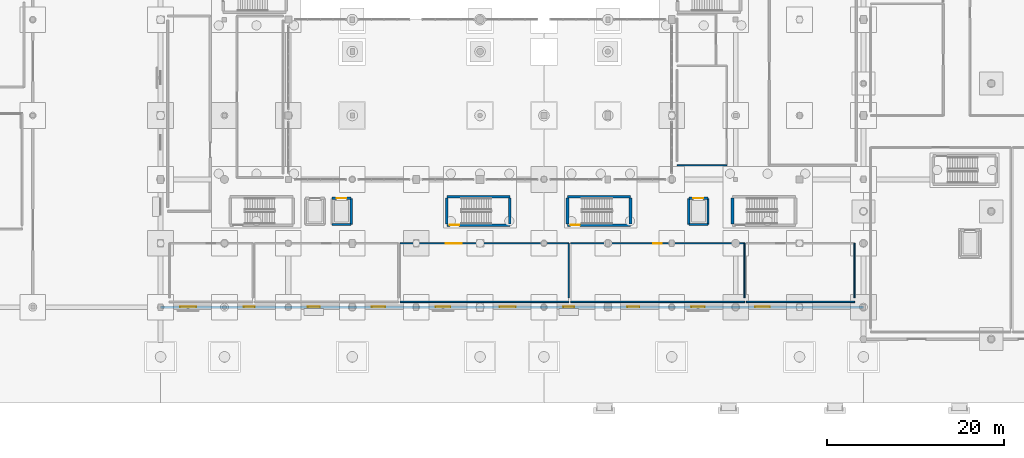
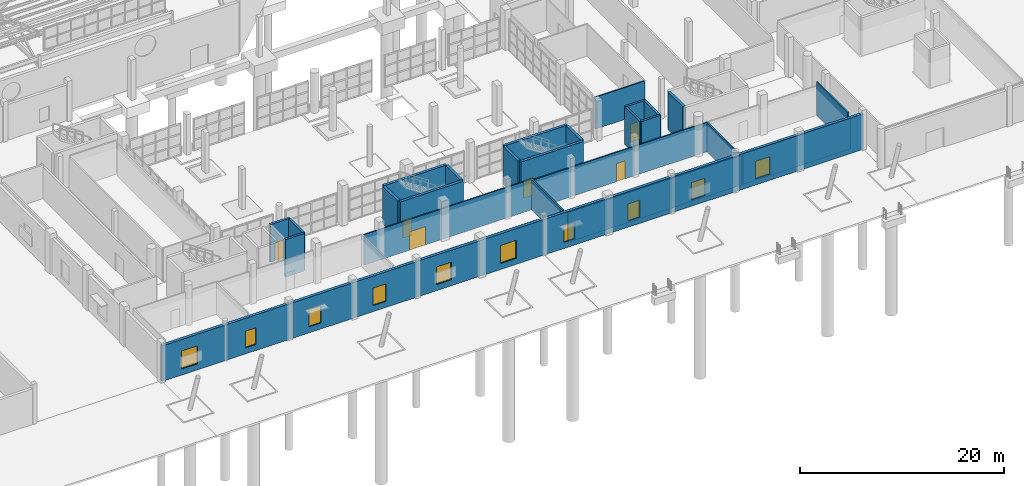
# One storey, part 256 of 285: 26 walls, 10 windows, 6 doors, 16 openings.
"""IFC4 building model written with IfcOpenShell, lengths in metres."""

from ifc_helpers import new_model, si_unit, direction, frame, frame_2d, origin, place, context, subcontext, project, spatial, rectangle, extrude, material, layer, layer_set, type_object, element, fill, save


model = new_model("IFC4")

# Units and contexts
model_context = context("Model", 3, precision=1e-05, world=origin(), true_north=direction((0.0, 1.0)))
body_context = subcontext(model_context, "Body", "Model", "MODEL_VIEW")
ifc_project = project(units=[si_unit("LENGTHUNIT", "METRE"), si_unit("AREAUNIT", "SQUARE_METRE"), si_unit("VOLUMEUNIT", "CUBIC_METRE"), si_unit("PLANEANGLEUNIT", "RADIAN"), si_unit("MASSUNIT", "GRAM", prefix="KILO")], contexts=[model_context])

# Site, building, storey
site_placement = place(None, origin())
site = spatial("IfcSite", under=ifc_project, at=site_placement, CompositionType="ELEMENT")
building_placement = place(site_placement, origin())
building = spatial("IfcBuilding", under=site, at=building_placement, Name="Solanera Park Tramway Depot", CompositionType="ELEMENT")
storey_placement = place(building_placement, origin())
storey = spatial("IfcBuildingStorey", under=building, at=storey_placement, Name="L00", CompositionType="ELEMENT", Elevation=0.0)

# Wall, opening, door
ifc_material_1 = material(Name="Concrete N32 (C32/40)", Category="concrete")
ifc_layer_1 = layer(ifc_material_1, 0.125)
ifc_layer_set_1 = layer_set([ifc_layer_1], Name="Concrete N32 (C32/40)")
wall_type_1 = type_object("IfcWallType", Name="Acoustic Partition 125", PredefinedType="PARTITIONING", material=ifc_layer_set_1)
wall_1_placement = place(storey_placement, frame((135.0, 18.0, 0.0), z_axis=(0.0, 0.0, 1.0), x_axis=(1.0, 0.0, 0.0)))
wall_1 = element("IfcWall", 1, at=wall_1_placement, inside=storey, type_object=wall_type_1, Name="Driver Roll-Call and Briefing Hall Corridor Wall", PredefinedType="PARTITIONING", context=body_context, shape_type="SweptSolid", body=[
    extrude(rectangle(XDim=19.0, YDim=0.125, at=frame_2d((9.5, 0.0))), origin(), (0.0, 0.0, 1.0), 3.656982421875),
])
opening_1_placement = place(wall_1_placement, frame((5.159912109375, 0.0, 0.0)))
opening_1 = element("IfcOpeningElement", 2, at=opening_1_placement, cuts=wall_1, Name="Opening ID-A2D", PredefinedType="OPENING", context=body_context, shape_type="SweptSolid", body=[
    extrude(rectangle(XDim=1.800048828125, YDim=2.199951171875, at=frame_2d((0.89990234375, 1.10009765625))), frame((0.0, 0.072509765625, 0.0), z_axis=(0.0, -1.0, 0.0), x_axis=(1.0, 0.0, 0.0)), (0.0, 0.0, 1.0), 0.14501953125),
])
ifc_material_2 = material(Name="Fire-rated steel or solid-core hardwood door leaf", Category="steel")
door_type_1 = type_object("IfcDoorType", Name="Assembly Double Door 1800x2200", OperationType="DOUBLE_SWING_RIGHT", PredefinedType="DOOR", material=ifc_material_2)
door_1_placement = place(opening_1_placement, origin())
door_1 = element("IfcDoor", 3, at=door_1_placement, inside=storey, type_object=door_type_1, Name="Driver Roll-Call and Briefing Hall Door", OperationType="DOUBLE_SWING_RIGHT", OverallHeight=2.199951171875, OverallWidth=1.800048828125, PredefinedType="DOOR", context=body_context, shape_type="SweptSolid", body=[
    extrude(rectangle(XDim=1.800048828125, YDim=2.199951171875, at=frame_2d((0.89990234375, 1.10009765625))), frame((0.0, 0.02490234375, 0.0), z_axis=(0.0, -1.0, 0.0), x_axis=(1.0, 0.0, 0.0)), (0.0, 0.0, 1.0), 0.050048828125),
])
fill(opening_1, door_1)

wall_2_placement = place(storey_placement, frame((154.199951171875, 18.0, 0.0), z_axis=(0.0, 0.0, 1.0), x_axis=(1.0, 0.0, 0.0)))
wall_2 = element("IfcWall", 4, at=wall_2_placement, inside=storey, type_object=wall_type_1, Name="Operations Crew Locker and Uniform Room Corridor Wall", PredefinedType="PARTITIONING", context=body_context, shape_type="SweptSolid", body=[
    extrude(rectangle(XDim=19.60009765625, YDim=0.125, at=frame_2d((9.800048828125, 0.0))), origin(), (0.0, 0.0, 1.0), 3.507080078125),
])
opening_2_placement = place(wall_2_placement, frame((9.320068359375, 0.0, 0.0)))
opening_2 = element("IfcOpeningElement", 5, at=opening_2_placement, cuts=wall_2, Name="Opening ID-O1L", PredefinedType="OPENING", context=body_context, shape_type="SweptSolid", body=[
    extrude(rectangle(XDim=0.9599609375, YDim=2.14990234375, at=frame_2d((0.47998046875, 1.074951171875))), frame((0.0, 0.072509765625, 0.0), z_axis=(0.0, -1.0, 0.0), x_axis=(1.0, 0.0, 0.0)), (0.0, 0.0, 1.0), 0.14501953125),
])
ifc_material_3 = material(Name="Fire-rated steel or solid-core hardwood door leaf", Category="steel")
door_type_2 = type_object("IfcDoorType", Name="Office Single Door L 960x2150", OperationType="SINGLE_SWING_LEFT", PredefinedType="DOOR", material=ifc_material_3)
door_2_placement = place(opening_2_placement, origin())
door_2 = element("IfcDoor", 6, at=door_2_placement, inside=storey, type_object=door_type_2, Name="Operations Crew Locker and Uniform Room Door", OperationType="SINGLE_SWING_LEFT", OverallHeight=2.14990234375, OverallWidth=0.9599609375, PredefinedType="DOOR", context=body_context, shape_type="SweptSolid", body=[
    extrude(rectangle(XDim=0.9599609375, YDim=2.14990234375, at=frame_2d((0.47998046875, 1.074951171875))), frame((0.0, 0.02490234375, 0.0), z_axis=(0.0, -1.0, 0.0), x_axis=(1.0, 0.0, 0.0)), (0.0, 0.0, 1.0), 0.050048828125),
])
fill(opening_2, door_2)

# Walls
ifc_material_4 = material(Name="Concrete N32 (C32/40)", Category="concrete")
ifc_layer_2 = layer(ifc_material_4, 0.14990234375)
ifc_layer_set_2 = layer_set([ifc_layer_2], Name="Concrete N32 (C32/40)")
wall_type_2 = type_object("IfcWallType", Name="Acoustic Partition 150", PredefinedType="PARTITIONING", material=ifc_layer_set_2)
wall_3_placement = place(storey_placement, frame((154.0, 11.39990234375, 0.0), z_axis=(0.0, 0.0, 1.0), x_axis=(-1.0, 0.0, 0.0)))
element("IfcWall", 7, at=wall_3_placement, inside=storey, type_object=wall_type_2, Name="Driver Roll-Call and Briefing Hall Dividing Wall", PredefinedType="PARTITIONING", context=body_context, shape_type="SweptSolid", body=[
    extrude(rectangle(XDim=19.0, YDim=0.14990234375, at=frame_2d((9.5, 0.0))), origin(), (0.0, 0.0, 1.0), 3.85693359375),
])
wall_4_placement = place(storey_placement, frame((154.0, 11.85009765625, 0.0), z_axis=(0.0, 0.0, 1.0), x_axis=(0.0, 1.0, 0.0)))
element("IfcWall", 8, at=wall_4_placement, inside=storey, type_object=wall_type_2, Name="Driver Roll-Call and Briefing Hall Dividing Wall", PredefinedType="PARTITIONING", context=body_context, shape_type="SweptSolid", body=[
    extrude(rectangle(XDim=6.14990234375, YDim=0.14990234375, at=frame_2d((3.074951171875, 0.0))), origin(), (0.0, 0.0, 1.0), 3.656982421875),
])
wall_5_placement = place(storey_placement, frame((173.800048828125, 11.39990234375, 0.0), z_axis=(0.0, 0.0, 1.0), x_axis=(-1.0, 0.0, 0.0)))
element("IfcWall", 9, at=wall_5_placement, inside=storey, type_object=wall_type_2, Name="Operations Crew Locker and Uniform Room Dividing Wall", PredefinedType="PARTITIONING", context=body_context, shape_type="SweptSolid", body=[
    extrude(rectangle(XDim=19.60009765625, YDim=0.14990234375, at=frame_2d((9.800048828125, 0.0))), origin(), (0.0, 0.0, 1.0), 3.556884765625),
])
wall_6_placement = place(storey_placement, frame((173.800048828125, 11.85009765625, 0.0), z_axis=(0.0, 0.0, 1.0), x_axis=(0.0, 1.0, 0.0)))
element("IfcWall", 10, at=wall_6_placement, inside=storey, type_object=wall_type_2, Name="Operations Crew Locker and Uniform Room Dividing Wall", PredefinedType="PARTITIONING", context=body_context, shape_type="SweptSolid", body=[
    extrude(rectangle(XDim=6.14990234375, YDim=0.14990234375, at=frame_2d((3.074951171875, 0.0))), origin(), (0.0, 0.0, 1.0), 3.507080078125),
])
wall_7_placement = place(storey_placement, frame((186.199951171875, 11.39990234375, 0.0), z_axis=(0.0, 0.0, 1.0), x_axis=(-1.0, 0.0, 0.0)))
element("IfcWall", 11, at=wall_7_placement, inside=storey, type_object=wall_type_2, Name="Occupational Health and First Aid Suite Dividing Wall", PredefinedType="PARTITIONING", context=body_context, shape_type="SweptSolid", body=[
    extrude(rectangle(XDim=12.199951171875, YDim=0.14990234375, at=frame_2d((6.10009765625, 0.0))), origin(), (0.0, 0.0, 1.0), 3.656982421875),
])
wall_8_placement = place(storey_placement, frame((186.199951171875, 11.85009765625, 0.0), z_axis=(0.0, 0.0, 1.0), x_axis=(0.0, 1.0, 0.0)))
element("IfcWall", 12, at=wall_8_placement, inside=storey, type_object=wall_type_2, Name="Occupational Health and First Aid Suite Dividing Wall", PredefinedType="PARTITIONING", context=body_context, shape_type="SweptSolid", body=[
    extrude(rectangle(XDim=6.14990234375, YDim=0.14990234375, at=frame_2d((3.074951171875, 0.0))), origin(), (0.0, 0.0, 1.0), 4.0),
])

# Wall, opening, door
ifc_material_5 = material(Name="Concrete N40 (C40/50)", Category="concrete")
ifc_layer_3 = layer(ifc_material_5, 0.300048828125)
ifc_layer_set_3 = layer_set([ifc_layer_3], Name="Concrete N40 (C40/50)")
wall_type_3 = type_object("IfcWallType", Name="Core Shear Wall 300", PredefinedType="SHEAR", material=ifc_layer_set_3)
wall_9_placement = place(storey_placement, frame((140.25, 20.050048828125, 0.0), z_axis=(0.0, 0.0, 1.0), x_axis=(1.0, 0.0, 0.0)))
wall_9 = element("IfcWall", 13, at=wall_9_placement, inside=storey, type_object=wall_type_3, Name="ST-02 L00 Shear Core Wall S", PredefinedType="SHEAR", context=body_context, shape_type="SweptSolid", body=[
    extrude(rectangle(XDim=7.10009765625, YDim=0.300048828125, at=frame_2d((3.550048828125, 0.0))), origin(), (0.0, 0.0, 1.0), 4.52490234375),
])
opening_3_placement = place(wall_9_placement, frame((0.35009765625, 0.0, 0.0)))
opening_3 = element("IfcOpeningElement", 14, at=opening_3_placement, cuts=wall_9, Name="Opening FD-S1L", PredefinedType="OPENING", context=body_context, shape_type="SweptSolid", body=[
    extrude(rectangle(XDim=1.050048828125, YDim=2.14990234375, at=frame_2d((0.52490234375, 1.074951171875))), frame((0.0, 0.16015625, 0.0), z_axis=(0.0, -1.0, 0.0), x_axis=(1.0, 0.0, 0.0)), (0.0, 0.0, 1.0), 0.320068359375),
])
ifc_material_6 = material(Name="Fire-rated steel or solid-core hardwood door leaf", Category="steel")
door_type_3 = type_object("IfcDoorType", Name="Stair Fire Door L 1050x2150", OperationType="SINGLE_SWING_LEFT", PredefinedType="DOOR", material=ifc_material_6)
door_3_placement = place(opening_3_placement, frame((1.050048828125, 0.0, 0.0), z_axis=(0.0, 0.0, 1.0), x_axis=(-1.0, 0.0, 0.0)))
door_3 = element("IfcDoor", 15, at=door_3_placement, inside=storey, type_object=door_type_3, Name="ST-02 L00 Stair Fire Door", OperationType="SINGLE_SWING_LEFT", OverallHeight=2.14990234375, OverallWidth=1.050048828125, PredefinedType="DOOR", context=body_context, shape_type="SweptSolid", body=[
    extrude(rectangle(XDim=1.050048828125, YDim=2.14990234375, at=frame_2d((0.52490234375, 1.074951171875))), frame((0.0, 0.02490234375, 0.0), z_axis=(0.0, -1.0, 0.0), x_axis=(1.0, 0.0, 0.0)), (0.0, 0.0, 1.0), 0.050048828125),
])
fill(opening_3, door_3)

# Walls
wall_10_placement = place(storey_placement, frame((147.35009765625, 23.25, 0.0), z_axis=(0.0, 0.0, 1.0), x_axis=(-1.0, 0.0, 0.0)))
element("IfcWall", 16, at=wall_10_placement, inside=storey, type_object=wall_type_3, Name="ST-02 L00 Shear Core Wall N", PredefinedType="SHEAR", context=body_context, shape_type="SweptSolid", body=[
    extrude(rectangle(XDim=7.10009765625, YDim=0.300048828125, at=frame_2d((3.550048828125, 0.0))), origin(), (0.0, 0.0, 1.0), 4.52490234375),
])
for number, where, z_axis, x_axis, name in (
    (17, (147.35009765625, 20.199951171875, 0.0), (0.0, 0.0, 1.0), (0.0, 1.0, 0.0), "ST-02 L00 Shear Core Wall E"),
    (18, (140.25, 23.10009765625, 0.0), (0.0, 0.0, 1.0), (0.0, -1.0, 0.0), "ST-02 L00 Shear Core Wall W"),
):
    element("IfcWall", number, at=place(storey_placement, frame(where, z_axis=z_axis, x_axis=x_axis)), inside=storey, type_object=wall_type_3, Name=name, PredefinedType="SHEAR", context=body_context, shape_type="SweptSolid", body=[
        extrude(rectangle(XDim=2.900146484375, YDim=0.300048828125, at=frame_2d((1.4501953125, 0.0))), origin(), (0.0, 0.0, 1.0), 4.52490234375),
    ])

# Wall, opening, door
wall_11_placement = place(storey_placement, frame((153.85009765625, 20.050048828125, 0.0), z_axis=(0.0, 0.0, 1.0), x_axis=(1.0, 0.0, 0.0)))
wall_11 = element("IfcWall", 19, at=wall_11_placement, inside=storey, type_object=wall_type_3, Name="ST-03 L00 Shear Core Wall S", PredefinedType="SHEAR", context=body_context, shape_type="SweptSolid", body=[
    extrude(rectangle(XDim=7.099853515625, YDim=0.300048828125, at=frame_2d((3.5498046875, 0.0))), origin(), (0.0, 0.0, 1.0), 4.52490234375),
])
opening_4_placement = place(wall_11_placement, frame((0.35009765625, 0.0, 0.0)))
opening_4 = element("IfcOpeningElement", 20, at=opening_4_placement, cuts=wall_11, Name="Opening FD-S1L", PredefinedType="OPENING", context=body_context, shape_type="SweptSolid", body=[
    extrude(rectangle(XDim=1.050048828125, YDim=2.14990234375, at=frame_2d((0.52490234375, 1.074951171875))), frame((0.0, 0.16015625, 0.0), z_axis=(0.0, -1.0, 0.0), x_axis=(1.0, 0.0, 0.0)), (0.0, 0.0, 1.0), 0.320068359375),
])
door_4_placement = place(opening_4_placement, frame((1.050048828125, 0.0, 0.0), z_axis=(0.0, 0.0, 1.0), x_axis=(-1.0, 0.0, 0.0)))
door_4 = element("IfcDoor", 21, at=door_4_placement, inside=storey, type_object=door_type_3, Name="ST-03 L00 Stair Fire Door", OperationType="SINGLE_SWING_LEFT", OverallHeight=2.14990234375, OverallWidth=1.050048828125, PredefinedType="DOOR", context=body_context, shape_type="SweptSolid", body=[
    extrude(rectangle(XDim=1.050048828125, YDim=2.14990234375, at=frame_2d((0.52490234375, 1.074951171875))), frame((0.0, 0.02490234375, 0.0), z_axis=(0.0, -1.0, 0.0), x_axis=(1.0, 0.0, 0.0)), (0.0, 0.0, 1.0), 0.050048828125),
])
fill(opening_4, door_4)

# Walls
wall_12_placement = place(storey_placement, frame((160.949951171875, 23.25, 0.0), z_axis=(0.0, 0.0, 1.0), x_axis=(-1.0, 0.0, 0.0)))
element("IfcWall", 22, at=wall_12_placement, inside=storey, type_object=wall_type_3, Name="ST-03 L00 Shear Core Wall N", PredefinedType="SHEAR", context=body_context, shape_type="SweptSolid", body=[
    extrude(rectangle(XDim=7.099853515625, YDim=0.300048828125, at=frame_2d((3.5498046875, 0.0))), origin(), (0.0, 0.0, 1.0), 4.52490234375),
])
for number, where, z_axis, x_axis, name in (
    (23, (160.949951171875, 20.199951171875, 0.0), (0.0, 0.0, 1.0), (0.0, 1.0, 0.0), "ST-03 L00 Shear Core Wall E"),
    (24, (153.85009765625, 23.10009765625, 0.0), (0.0, 0.0, 1.0), (0.0, -1.0, 0.0), "ST-03 L00 Shear Core Wall W"),
    (25, (172.449951171875, 23.10009765625, 0.0), (0.0, 0.0, 1.0), (0.0, -1.0, 0.0), "ST-04 L00 Shear Core Wall W"),
):
    element("IfcWall", number, at=place(storey_placement, frame(where, z_axis=z_axis, x_axis=x_axis)), inside=storey, type_object=wall_type_3, Name=name, PredefinedType="SHEAR", context=body_context, shape_type="SweptSolid", body=[
        extrude(rectangle(XDim=2.900146484375, YDim=0.300048828125, at=frame_2d((1.4501953125, 0.0))), origin(), (0.0, 0.0, 1.0), 4.52490234375),
    ])

# Wall, openings, windows
ifc_material_7 = material(Name="Concrete N32 (C32/40)", Category="concrete")
ifc_layer_4 = layer(ifc_material_7, 0.320068359375)
ifc_layer_set_4 = layer_set([ifc_layer_4], Name="Concrete N32 (C32/40)")
wall_type_4 = type_object("IfcWallType", Name="Ext Stucco Wall 320", PredefinedType="SOLIDWALL", material=ifc_layer_set_4)
wall_13_placement = place(storey_placement, frame((108.0, 10.800048828125, 0.0), z_axis=(0.0, 0.0, 1.0), x_axis=(1.0, 0.0, 0.0)))
wall_13 = element("IfcWall", 26, at=wall_13_placement, inside=storey, type_object=wall_type_4, Name="L00 Exterior Wall #019", PredefinedType="SOLIDWALL", context=body_context, shape_type="SweptSolid", body=[
    extrude(rectangle(XDim=79.199951171875, YDim=0.320068359375, at=frame_2d((39.60009765625, 0.0))), origin(), (0.0, 0.0, 1.0), 4.25),
])
opening_5_placement = place(wall_13_placement, frame((2.199951171875, 0.0, 0.719970703125)))
opening_5 = element("IfcOpeningElement", 27, at=opening_5_placement, cuts=wall_13, Name="Opening WN-A18", PredefinedType="OPENING", context=body_context, shape_type="SweptSolid", body=[
    extrude(rectangle(XDim=1.800048828125, YDim=2.14990234375, at=frame_2d((0.89990234375, 1.074951171875))), frame((0.0, 0.169921875, 0.0), z_axis=(0.0, -1.0, 0.0), x_axis=(1.0, 0.0, 0.0)), (0.0, 0.0, 1.0), 0.340087890625),
])
opening_6_placement = place(wall_13_placement, frame((9.39990234375, 0.0, 0.719970703125)))
opening_6 = element("IfcOpeningElement", 28, at=opening_6_placement, cuts=wall_13, Name="Opening WN-A12", PredefinedType="OPENING", context=body_context, shape_type="SweptSolid", body=[
    extrude(rectangle(XDim=1.199951171875, YDim=2.0, at=frame_2d((0.60009765625, 1.0))), frame((0.0, 0.169921875, 0.0), z_axis=(0.0, -1.0, 0.0), x_axis=(1.0, 0.0, 0.0)), (0.0, 0.0, 1.0), 0.340087890625),
])
opening_7_placement = place(wall_13_placement, frame((16.60009765625, 0.0, 0.719970703125)))
opening_7 = element("IfcOpeningElement", 29, at=opening_7_placement, cuts=wall_13, Name="Opening WN-A13", PredefinedType="OPENING", context=body_context, shape_type="SweptSolid", body=[
    extrude(rectangle(XDim=1.35009765625, YDim=2.050048828125, at=frame_2d((0.675048828125, 1.02490234375))), frame((0.0, 0.169921875, 0.0), z_axis=(0.0, -1.0, 0.0), x_axis=(1.0, 0.0, 0.0)), (0.0, 0.0, 1.0), 0.340087890625),
])
opening_8_placement = place(wall_13_placement, frame((23.800048828125, 0.0, 0.719970703125)))
opening_8 = element("IfcOpeningElement", 30, at=opening_8_placement, cuts=wall_13, Name="Opening WN-A15", PredefinedType="OPENING", context=body_context, shape_type="SweptSolid", body=[
    extrude(rectangle(XDim=1.5, YDim=2.10009765625, at=frame_2d((0.75, 1.050048828125))), frame((0.0, 0.169921875, 0.0), z_axis=(0.0, -1.0, 0.0), x_axis=(1.0, 0.0, 0.0)), (0.0, 0.0, 1.0), 0.340087890625),
])
opening_9_placement = place(wall_13_placement, frame((31.0, 0.0, 0.719970703125)))
opening_9 = element("IfcOpeningElement", 31, at=opening_9_placement, cuts=wall_13, Name="Opening WN-A16", PredefinedType="OPENING", context=body_context, shape_type="SweptSolid", body=[
    extrude(rectangle(XDim=1.64990234375, YDim=2.10009765625, at=frame_2d((0.824951171875, 1.050048828125))), frame((0.0, 0.169921875, 0.0), z_axis=(0.0, -1.0, 0.0), x_axis=(1.0, 0.0, 0.0)), (0.0, 0.0, 1.0), 0.340087890625),
])
opening_10_placement = place(wall_13_placement, frame((38.199951171875, 0.0, 0.719970703125)))
opening_10 = element("IfcOpeningElement", 32, at=opening_10_placement, cuts=wall_13, Name="Opening WN-A18", PredefinedType="OPENING", context=body_context, shape_type="SweptSolid", body=[
    extrude(rectangle(XDim=1.800048828125, YDim=2.14990234375, at=frame_2d((0.89990234375, 1.074951171875))), frame((0.0, 0.169921875, 0.0), z_axis=(0.0, -1.0, 0.0), x_axis=(1.0, 0.0, 0.0)), (0.0, 0.0, 1.0), 0.340087890625),
])
opening_11_placement = place(wall_13_placement, frame((45.39990234375, 0.0, 0.719970703125)))
opening_11 = element("IfcOpeningElement", 33, at=opening_11_placement, cuts=wall_13, Name="Opening WN-A12", PredefinedType="OPENING", context=body_context, shape_type="SweptSolid", body=[
    extrude(rectangle(XDim=1.199951171875, YDim=2.0, at=frame_2d((0.60009765625, 1.0))), frame((0.0, 0.169921875, 0.0), z_axis=(0.0, -1.0, 0.0), x_axis=(1.0, 0.0, 0.0)), (0.0, 0.0, 1.0), 0.340087890625),
])
opening_12_placement = place(wall_13_placement, frame((52.60009765625, 0.0, 0.719970703125)))
opening_12 = element("IfcOpeningElement", 34, at=opening_12_placement, cuts=wall_13, Name="Opening WN-A13", PredefinedType="OPENING", context=body_context, shape_type="SweptSolid", body=[
    extrude(rectangle(XDim=1.35009765625, YDim=2.050048828125, at=frame_2d((0.675048828125, 1.02490234375))), frame((0.0, 0.169921875, 0.0), z_axis=(0.0, -1.0, 0.0), x_axis=(1.0, 0.0, 0.0)), (0.0, 0.0, 1.0), 0.340087890625),
])
opening_13_placement = place(wall_13_placement, frame((59.800048828125, 0.0, 0.719970703125)))
opening_13 = element("IfcOpeningElement", 35, at=opening_13_placement, cuts=wall_13, Name="Opening WN-A15", PredefinedType="OPENING", context=body_context, shape_type="SweptSolid", body=[
    extrude(rectangle(XDim=1.5, YDim=2.10009765625, at=frame_2d((0.75, 1.050048828125))), frame((0.0, 0.169921875, 0.0), z_axis=(0.0, -1.0, 0.0), x_axis=(1.0, 0.0, 0.0)), (0.0, 0.0, 1.0), 0.340087890625),
])
opening_14_placement = place(wall_13_placement, frame((67.0, 0.0, 0.719970703125)))
opening_14 = element("IfcOpeningElement", 36, at=opening_14_placement, cuts=wall_13, Name="Opening WN-A16", PredefinedType="OPENING", context=body_context, shape_type="SweptSolid", body=[
    extrude(rectangle(XDim=1.64990234375, YDim=2.10009765625, at=frame_2d((0.824951171875, 1.050048828125))), frame((0.0, 0.169921875, 0.0), z_axis=(0.0, -1.0, 0.0), x_axis=(1.0, 0.0, 0.0)), (0.0, 0.0, 1.0), 0.340087890625),
])
ifc_material_8 = material(Name="Powder-coated aluminium frame with solar-control double glazing", Category="aluminium")
window_type_1 = type_object("IfcWindowType", Name="Deep-Reveal Arched Window 1200x2000", PartitioningType="SINGLE_PANEL", PredefinedType="WINDOW", material=ifc_material_8)
window_1_placement = place(opening_6_placement, origin())
window_1 = element("IfcWindow", 37, at=window_1_placement, inside=storey, type_object=window_type_1, Name="L00 Deep-Reveal Arched Window 1200x2000 #0095", OverallHeight=2.0, OverallWidth=1.199951171875, PartitioningType="SINGLE_PANEL", PredefinedType="WINDOW", context=body_context, shape_type="SweptSolid", body=[
    extrude(rectangle(XDim=1.199951171875, YDim=2.0, at=frame_2d((0.60009765625, 1.0))), frame((0.0, 0.030029296875, 0.0), z_axis=(0.0, -1.0, 0.0), x_axis=(1.0, 0.0, 0.0)), (0.0, 0.0, 1.0), 0.06005859375),
])
fill(opening_6, window_1)
window_2_placement = place(opening_11_placement, origin())
window_2 = element("IfcWindow", 38, at=window_2_placement, inside=storey, type_object=window_type_1, Name="L00 Deep-Reveal Arched Window 1200x2000 #0100", OverallHeight=2.0, OverallWidth=1.199951171875, PartitioningType="SINGLE_PANEL", PredefinedType="WINDOW", context=body_context, shape_type="SweptSolid", body=[
    extrude(rectangle(XDim=1.199951171875, YDim=2.0, at=frame_2d((0.60009765625, 1.0))), frame((0.0, 0.030029296875, 0.0), z_axis=(0.0, -1.0, 0.0), x_axis=(1.0, 0.0, 0.0)), (0.0, 0.0, 1.0), 0.06005859375),
])
fill(opening_11, window_2)
ifc_material_9 = material(Name="Powder-coated aluminium frame with solar-control double glazing", Category="aluminium")
window_type_2 = type_object("IfcWindowType", Name="Deep-Reveal Arched Window 1350x2050", PartitioningType="SINGLE_PANEL", PredefinedType="WINDOW", material=ifc_material_9)
window_3_placement = place(opening_7_placement, origin())
window_3 = element("IfcWindow", 39, at=window_3_placement, inside=storey, type_object=window_type_2, Name="L00 Deep-Reveal Arched Window 1350x2050 #0096", OverallHeight=2.050048828125, OverallWidth=1.35009765625, PartitioningType="SINGLE_PANEL", PredefinedType="WINDOW", context=body_context, shape_type="SweptSolid", body=[
    extrude(rectangle(XDim=1.35009765625, YDim=2.050048828125, at=frame_2d((0.675048828125, 1.02490234375))), frame((0.0, 0.030029296875, 0.0), z_axis=(0.0, -1.0, 0.0), x_axis=(1.0, 0.0, 0.0)), (0.0, 0.0, 1.0), 0.06005859375),
])
fill(opening_7, window_3)
window_4_placement = place(opening_12_placement, origin())
window_4 = element("IfcWindow", 40, at=window_4_placement, inside=storey, type_object=window_type_2, Name="L00 Deep-Reveal Arched Window 1350x2050 #0101", OverallHeight=2.050048828125, OverallWidth=1.35009765625, PartitioningType="SINGLE_PANEL", PredefinedType="WINDOW", context=body_context, shape_type="SweptSolid", body=[
    extrude(rectangle(XDim=1.35009765625, YDim=2.050048828125, at=frame_2d((0.675048828125, 1.02490234375))), frame((0.0, 0.030029296875, 0.0), z_axis=(0.0, -1.0, 0.0), x_axis=(1.0, 0.0, 0.0)), (0.0, 0.0, 1.0), 0.06005859375),
])
fill(opening_12, window_4)
ifc_material_10 = material(Name="Powder-coated aluminium frame with solar-control double glazing", Category="aluminium")
window_type_3 = type_object("IfcWindowType", Name="Deep-Reveal Arched Window 1500x2100", PartitioningType="SINGLE_PANEL", PredefinedType="WINDOW", material=ifc_material_10)
window_5_placement = place(opening_8_placement, origin())
window_5 = element("IfcWindow", 41, at=window_5_placement, inside=storey, type_object=window_type_3, Name="L00 Deep-Reveal Arched Window 1500x2100 #0097", OverallHeight=2.10009765625, OverallWidth=1.5, PartitioningType="SINGLE_PANEL", PredefinedType="WINDOW", context=body_context, shape_type="SweptSolid", body=[
    extrude(rectangle(XDim=1.5, YDim=2.10009765625, at=frame_2d((0.75, 1.050048828125))), frame((0.0, 0.030029296875, 0.0), z_axis=(0.0, -1.0, 0.0), x_axis=(1.0, 0.0, 0.0)), (0.0, 0.0, 1.0), 0.06005859375),
])
fill(opening_8, window_5)
window_6_placement = place(opening_13_placement, origin())
window_6 = element("IfcWindow", 42, at=window_6_placement, inside=storey, type_object=window_type_3, Name="L00 Deep-Reveal Arched Window 1500x2100 #0102", OverallHeight=2.10009765625, OverallWidth=1.5, PartitioningType="SINGLE_PANEL", PredefinedType="WINDOW", context=body_context, shape_type="SweptSolid", body=[
    extrude(rectangle(XDim=1.5, YDim=2.10009765625, at=frame_2d((0.75, 1.050048828125))), frame((0.0, 0.030029296875, 0.0), z_axis=(0.0, -1.0, 0.0), x_axis=(1.0, 0.0, 0.0)), (0.0, 0.0, 1.0), 0.06005859375),
])
fill(opening_13, window_6)
ifc_material_11 = material(Name="Powder-coated aluminium frame with solar-control double glazing", Category="aluminium")
window_type_4 = type_object("IfcWindowType", Name="Deep-Reveal Arched Window 1650x2100", PartitioningType="SINGLE_PANEL", PredefinedType="WINDOW", material=ifc_material_11)
window_7_placement = place(opening_9_placement, origin())
window_7 = element("IfcWindow", 43, at=window_7_placement, inside=storey, type_object=window_type_4, Name="L00 Deep-Reveal Arched Window 1650x2100 #0098", OverallHeight=2.10009765625, OverallWidth=1.64990234375, PartitioningType="SINGLE_PANEL", PredefinedType="WINDOW", context=body_context, shape_type="SweptSolid", body=[
    extrude(rectangle(XDim=1.64990234375, YDim=2.10009765625, at=frame_2d((0.824951171875, 1.050048828125))), frame((0.0, 0.030029296875, 0.0), z_axis=(0.0, -1.0, 0.0), x_axis=(1.0, 0.0, 0.0)), (0.0, 0.0, 1.0), 0.06005859375),
])
fill(opening_9, window_7)
window_8_placement = place(opening_14_placement, origin())
window_8 = element("IfcWindow", 44, at=window_8_placement, inside=storey, type_object=window_type_4, Name="L00 Deep-Reveal Arched Window 1650x2100 #0103", OverallHeight=2.10009765625, OverallWidth=1.64990234375, PartitioningType="SINGLE_PANEL", PredefinedType="WINDOW", context=body_context, shape_type="SweptSolid", body=[
    extrude(rectangle(XDim=1.64990234375, YDim=2.10009765625, at=frame_2d((0.824951171875, 1.050048828125))), frame((0.0, 0.030029296875, 0.0), z_axis=(0.0, -1.0, 0.0), x_axis=(1.0, 0.0, 0.0)), (0.0, 0.0, 1.0), 0.06005859375),
])
fill(opening_14, window_8)
ifc_material_12 = material(Name="Powder-coated aluminium frame with solar-control double glazing", Category="aluminium")
window_type_5 = type_object("IfcWindowType", Name="Deep-Reveal Arched Window 1800x2150", PartitioningType="SINGLE_PANEL", PredefinedType="WINDOW", material=ifc_material_12)
window_9_placement = place(opening_5_placement, origin())
window_9 = element("IfcWindow", 45, at=window_9_placement, inside=storey, type_object=window_type_5, Name="L00 Deep-Reveal Arched Window 1800x2150 #0094", OverallHeight=2.14990234375, OverallWidth=1.800048828125, PartitioningType="SINGLE_PANEL", PredefinedType="WINDOW", context=body_context, shape_type="SweptSolid", body=[
    extrude(rectangle(XDim=1.800048828125, YDim=2.14990234375, at=frame_2d((0.89990234375, 1.074951171875))), frame((0.0, 0.030029296875, 0.0), z_axis=(0.0, -1.0, 0.0), x_axis=(1.0, 0.0, 0.0)), (0.0, 0.0, 1.0), 0.06005859375),
])
fill(opening_5, window_9)
window_10_placement = place(opening_10_placement, origin())
window_10 = element("IfcWindow", 46, at=window_10_placement, inside=storey, type_object=window_type_5, Name="L00 Deep-Reveal Arched Window 1800x2150 #0099", OverallHeight=2.14990234375, OverallWidth=1.800048828125, PartitioningType="SINGLE_PANEL", PredefinedType="WINDOW", context=body_context, shape_type="SweptSolid", body=[
    extrude(rectangle(XDim=1.800048828125, YDim=2.14990234375, at=frame_2d((0.89990234375, 1.074951171875))), frame((0.0, 0.030029296875, 0.0), z_axis=(0.0, -1.0, 0.0), x_axis=(1.0, 0.0, 0.0)), (0.0, 0.0, 1.0), 0.06005859375),
])
fill(opening_10, window_10)

# Wall
ifc_material_13 = material(Name="Concrete N40 (C40/50)", Category="concrete")
ifc_layer_5 = layer(ifc_material_13, 0.25)
ifc_layer_set_5 = layer_set([ifc_layer_5], Name="Concrete N40 (C40/50)")
wall_type_5 = type_object("IfcWallType", Name="Lift Shaft Shear Wall 250", PredefinedType="SHEAR", material=ifc_layer_set_5)
wall_14_placement = place(storey_placement, frame((127.324951171875, 20.125, 0.0), z_axis=(0.0, 0.0, 1.0), x_axis=(1.0, 0.0, 0.0)))
element("IfcWall", 47, at=wall_14_placement, inside=storey, type_object=wall_type_5, Name="LF-02 L00 Lift Shaft Wall S", PredefinedType="SHEAR", context=body_context, shape_type="SweptSolid", body=[
    extrude(rectangle(XDim=2.150146484375, YDim=0.25, at=frame_2d((1.0751953125, 0.0))), origin(), (0.0, 0.0, 1.0), 4.5),
])

# Wall, opening, door
wall_15_placement = place(storey_placement, frame((129.47509765625, 23.074951171875, 0.0), z_axis=(0.0, 0.0, 1.0), x_axis=(-1.0, 0.0, 0.0)))
wall_15 = element("IfcWall", 48, at=wall_15_placement, inside=storey, type_object=wall_type_5, Name="LF-02 L00 Lift Shaft Wall N", PredefinedType="SHEAR", context=body_context, shape_type="SweptSolid", body=[
    extrude(rectangle(XDim=2.150146484375, YDim=0.25, at=frame_2d((1.0751953125, 0.0))), origin(), (0.0, 0.0, 1.0), 4.5),
])
opening_15_placement = place(wall_15_placement, frame((0.52490234375, 0.0, 0.0)))
opening_15 = element("IfcOpeningElement", 49, at=opening_15_placement, cuts=wall_15, Name="Opening LD-01", PredefinedType="OPENING", context=body_context, shape_type="SweptSolid", body=[
    extrude(rectangle(XDim=1.10009765625, YDim=2.14990234375, at=frame_2d((0.550048828125, 1.074951171875))), frame((0.0, 0.135009765625, 0.0), z_axis=(0.0, -1.0, 0.0), x_axis=(1.0, 0.0, 0.0)), (0.0, 0.0, 1.0), 0.27001953125),
])
ifc_material_14 = material(Name="Fire-rated steel or solid-core hardwood door leaf", Category="steel")
door_type_4 = type_object("IfcDoorType", Name="Lift Landing Sliding Door 1100x2150", OperationType="SLIDING_TO_LEFT", PredefinedType="DOOR", material=ifc_material_14)
door_5_placement = place(opening_15_placement, origin())
door_5 = element("IfcDoor", 50, at=door_5_placement, inside=storey, type_object=door_type_4, Name="LF-02 L00 Lift Landing Sliding Door", OperationType="SLIDING_TO_LEFT", OverallHeight=2.14990234375, OverallWidth=1.10009765625, PredefinedType="DOOR", context=body_context, shape_type="SweptSolid", body=[
    extrude(rectangle(XDim=1.10009765625, YDim=2.14990234375, at=frame_2d((0.550048828125, 1.074951171875))), frame((0.0, 0.02490234375, 0.0), z_axis=(0.0, -1.0, 0.0), x_axis=(1.0, 0.0, 0.0)), (0.0, 0.0, 1.0), 0.050048828125),
])
fill(opening_15, door_5)

# Walls
wall_16_placement = place(storey_placement, frame((129.47509765625, 20.125, 0.0), z_axis=(0.0, 0.0, 1.0), x_axis=(0.0, 1.0, 0.0)))
element("IfcWall", 51, at=wall_16_placement, inside=storey, type_object=wall_type_5, Name="LF-02 L00 Lift Shaft Wall E", PredefinedType="SHEAR", context=body_context, shape_type="SweptSolid", body=[
    extrude(rectangle(XDim=2.949951171875, YDim=0.25, at=frame_2d((1.47509765625, 0.0))), origin(), (0.0, 0.0, 1.0), 4.5),
])
wall_17_placement = place(storey_placement, frame((167.52490234375, 20.125, 0.0), z_axis=(0.0, 0.0, 1.0), x_axis=(1.0, 0.0, 0.0)))
element("IfcWall", 52, at=wall_17_placement, inside=storey, type_object=wall_type_5, Name="LF-03 L00 Lift Shaft Wall S", PredefinedType="SHEAR", context=body_context, shape_type="SweptSolid", body=[
    extrude(rectangle(XDim=2.150146484375, YDim=0.25, at=frame_2d((1.0751953125, 0.0))), origin(), (0.0, 0.0, 1.0), 4.5),
])

# Wall, opening, door
wall_18_placement = place(storey_placement, frame((169.675048828125, 23.074951171875, 0.0), z_axis=(0.0, 0.0, 1.0), x_axis=(-1.0, 0.0, 0.0)))
wall_18 = element("IfcWall", 53, at=wall_18_placement, inside=storey, type_object=wall_type_5, Name="LF-03 L00 Lift Shaft Wall N", PredefinedType="SHEAR", context=body_context, shape_type="SweptSolid", body=[
    extrude(rectangle(XDim=2.150146484375, YDim=0.25, at=frame_2d((1.0751953125, 0.0))), origin(), (0.0, 0.0, 1.0), 4.5),
])
opening_16_placement = place(wall_18_placement, frame((0.52490234375, 0.0, 0.0)))
opening_16 = element("IfcOpeningElement", 54, at=opening_16_placement, cuts=wall_18, Name="Opening LD-01", PredefinedType="OPENING", context=body_context, shape_type="SweptSolid", body=[
    extrude(rectangle(XDim=1.10009765625, YDim=2.14990234375, at=frame_2d((0.550048828125, 1.074951171875))), frame((0.0, 0.135009765625, 0.0), z_axis=(0.0, -1.0, 0.0), x_axis=(1.0, 0.0, 0.0)), (0.0, 0.0, 1.0), 0.27001953125),
])
door_6_placement = place(opening_16_placement, origin())
door_6 = element("IfcDoor", 55, at=door_6_placement, inside=storey, type_object=door_type_4, Name="LF-03 L00 Lift Landing Sliding Door", OperationType="SLIDING_TO_LEFT", OverallHeight=2.14990234375, OverallWidth=1.10009765625, PredefinedType="DOOR", context=body_context, shape_type="SweptSolid", body=[
    extrude(rectangle(XDim=1.10009765625, YDim=2.14990234375, at=frame_2d((0.550048828125, 1.074951171875))), frame((0.0, 0.02490234375, 0.0), z_axis=(0.0, -1.0, 0.0), x_axis=(1.0, 0.0, 0.0)), (0.0, 0.0, 1.0), 0.050048828125),
])
fill(opening_16, door_6)

# Walls
for number, where, z_axis, x_axis, name in (
    (56, (167.52490234375, 23.074951171875, 0.0), (0.0, 0.0, 1.0), (0.0, -1.0, 0.0), "LF-03 L00 Lift Shaft Wall W"),
    (57, (169.675048828125, 20.125, 0.0), (0.0, 0.0, 1.0), (0.0, 1.0, 0.0), "LF-03 L00 Lift Shaft Wall E"),
):
    element("IfcWall", number, at=place(storey_placement, frame(where, z_axis=z_axis, x_axis=x_axis)), inside=storey, type_object=wall_type_5, Name=name, PredefinedType="SHEAR", context=body_context, shape_type="SweptSolid", body=[
        extrude(rectangle(XDim=2.949951171875, YDim=0.25, at=frame_2d((1.47509765625, 0.0))), origin(), (0.0, 0.0, 1.0), 4.5),
    ])
ifc_material_15 = material(Name="Concrete N32 (C32/40)", Category="concrete")
ifc_layer_6 = layer(ifc_material_15, 0.139892578125)
ifc_layer_set_6 = layer_set([ifc_layer_6], Name="Concrete N32 (C32/40)")
wall_type_6 = type_object("IfcWallType", Name="Wet Area Partition 140", PredefinedType="PARTITIONING", material=ifc_layer_set_6)
wall_19_placement = place(storey_placement, frame((171.800048828125, 26.800048828125, 0.0), z_axis=(0.0, 0.0, 1.0), x_axis=(-1.0, 0.0, 0.0)))
element("IfcWall", 58, at=wall_19_placement, inside=storey, type_object=wall_type_6, Name="Operations Ground Male and Female WC Dividing Wall", PredefinedType="PARTITIONING", context=body_context, shape_type="SweptSolid", body=[
    extrude(rectangle(XDim=5.60009765625, YDim=0.139892578125, at=frame_2d((2.800048828125, 0.0))), origin(), (0.0, 0.0, 1.0), 3.800048828125),
])

save(model, "model.ifc")
